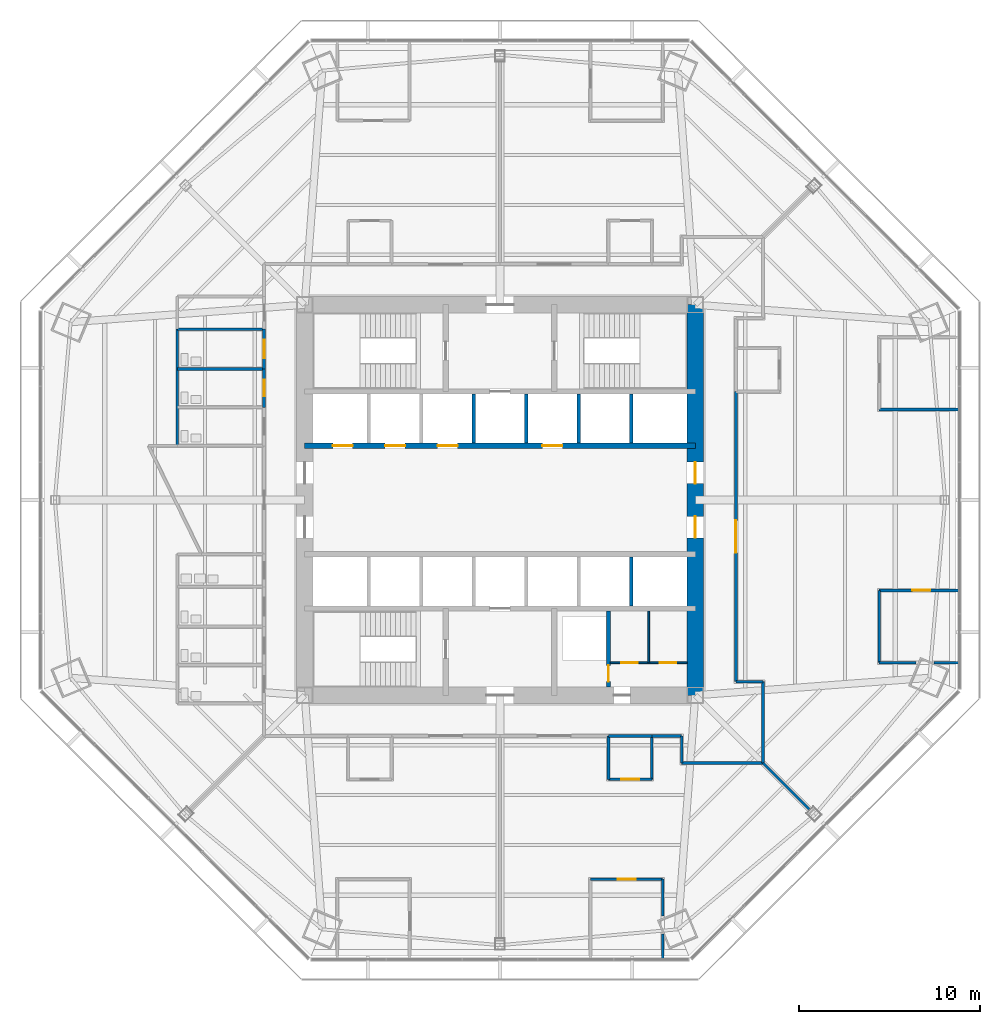
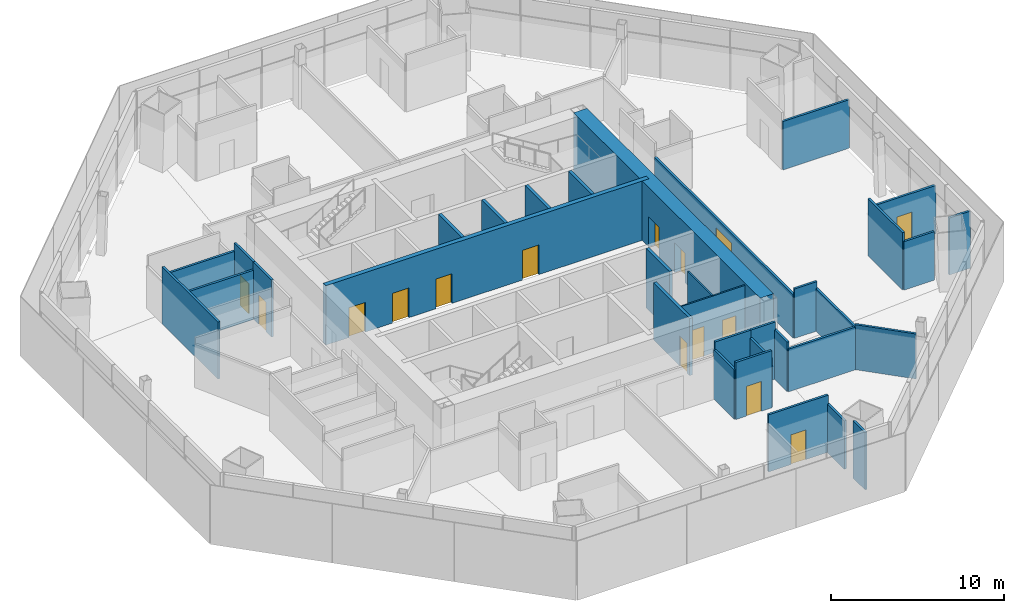
# One storey, part 11 of 17: 34 walls, 15 doors, 15 openings.
"""IFC4 building model written with IfcOpenShell, lengths in metres."""

from ifc_helpers import new_model, si_unit, direction, frame, frame_2d, origin, place, context, subcontext, project, spatial, rectangle, extrude, material, layer, layer_set, type_object, element, fill, save


model = new_model("IFC4")

# Units and contexts
model_context = context("Model", 3, precision=1e-05, world=origin(), true_north=direction((0.0, 1.0)))
body_context = subcontext(model_context, "Body", "Model", "MODEL_VIEW")
ifc_project = project(units=[si_unit("LENGTHUNIT", "METRE"), si_unit("AREAUNIT", "SQUARE_METRE"), si_unit("VOLUMEUNIT", "CUBIC_METRE"), si_unit("PLANEANGLEUNIT", "RADIAN"), si_unit("MASSUNIT", "GRAM", prefix="KILO")], contexts=[model_context])

# Site, building, storey
site_placement = place(None, origin())
site = spatial("IfcSite", under=ifc_project, at=site_placement, CompositionType="ELEMENT")
building_placement = place(site_placement, origin())
building = spatial("IfcBuilding", under=site, at=building_placement, Name="Mashrafa Tower", CompositionType="ELEMENT")
storey_placement = place(building_placement, frame((0.0, 0.0, 91.800048828125)))
storey = spatial("IfcBuildingStorey", under=building, at=storey_placement, Name="L20", CompositionType="ELEMENT", Elevation=91.800048828125)

# Wall, opening, door
ifc_material_1 = material(Name="Concrete masonry unit", Category="masonry")
ifc_layer_1 = layer(ifc_material_1, 0.199951171875)
ifc_layer_set_1 = layer_set([ifc_layer_1], Name="Blockwork wall 200 2 hr")
wall_type_1 = type_object("IfcWallType", Name="Blockwork wall 200 2 hr", PredefinedType="PARTITIONING", material=ifc_layer_set_1)
wall_1_placement = place(storey_placement, frame((6.0, -10.35009765625, 0.0), z_axis=(0.0, 0.0, 1.0), x_axis=(0.0, 1.0, 0.0)))
wall_1 = element("IfcWall", 1, at=wall_1_placement, inside=storey, type_object=wall_type_1, Name="Riser enclosure wall L20", PredefinedType="PARTITIONING", context=body_context, shape_type="SweptSolid", body=[
    extrude(rectangle(XDim=4.2001953125, YDim=0.199951171875, at=frame_2d((2.10009765625, 0.0))), origin(), (0.0, 0.0, 1.0), 4.034912109375),
])
opening_1_placement = place(wall_1_placement, frame((0.300048828125, 0.0, 0.0)))
opening_1 = element("IfcOpeningElement", 2, at=opening_1_placement, cuts=wall_1, Name="Opening 20.036", PredefinedType="OPENING", context=body_context, shape_type="SweptSolid", body=[
    extrude(rectangle(XDim=0.89990234375, YDim=2.10009765625, at=frame_2d((0.449951171875, 1.050048828125))), frame((0.0, 0.10986328125, 0.0), z_axis=(0.0, -1.0, 0.0), x_axis=(1.0, 0.0, 0.0)), (0.0, 0.0, 1.0), 0.219970703125),
])
ifc_material_2 = material(Name="Steel door", Category="steel")
door_type_1 = type_object("IfcDoorType", Name="Service door 900 x 2100 90 min", OperationType="USERDEFINED", PredefinedType="DOOR", material=ifc_material_2)
door_1_placement = place(opening_1_placement, origin())
door_1 = element("IfcDoor", 3, at=door_1_placement, inside=storey, type_object=door_type_1, Name="Riser door L20", OperationType="SINGLE_SWING_LEFT", OverallHeight=2.10009765625, OverallWidth=0.89990234375, PredefinedType="DOOR", context=body_context, shape_type="SweptSolid", body=[
    extrude(rectangle(XDim=0.89990234375, YDim=2.10009765625, at=frame_2d((0.449951171875, 1.050048828125))), frame((0.0, 0.02490234375, 0.0), z_axis=(0.0, -1.0, 0.0), x_axis=(1.0, 0.0, 0.0)), (0.0, 0.0, 1.0), 0.050048828125),
])
fill(opening_1, door_1)

# Wall, openings, doors
ifc_material_3 = material(Name="Concrete C60/75", Category="concrete")
ifc_layer_2 = layer(ifc_material_3, 0.300048828125)
ifc_layer_set_2 = layer_set([ifc_layer_2], Name="Core wall 300 C60/75")
wall_type_2 = type_object("IfcWallType", Name="Core wall 300 C60/75", PredefinedType="SOLIDWALL", material=ifc_layer_set_2)
wall_2_placement = place(storey_placement, frame((-10.800048828125, 3.0, 0.0), z_axis=(0.0, 0.0, 1.0), x_axis=(1.0, 0.0, 0.0)))
wall_2 = element("IfcWall", 4, at=wall_2_placement, inside=storey, type_object=wall_type_2, Name="Core wall CH-N L20", PredefinedType="SOLIDWALL", context=body_context, shape_type="SweptSolid", body=[
    extrude(rectangle(XDim=21.60009765625, YDim=0.300048828125, at=frame_2d((10.800048828125, 0.0))), origin(), (0.0, 0.0, 1.0), 4.199951171875),
])
opening_2_placement = place(wall_2_placement, frame((1.550048828125, 0.0, 0.0)))
opening_2 = element("IfcOpeningElement", 5, at=opening_2_placement, cuts=wall_2, Name="Opening 20.A1", PredefinedType="OPENING", context=body_context, shape_type="SweptSolid", body=[
    extrude(rectangle(XDim=1.10009765625, YDim=2.10009765625, at=frame_2d((0.550048828125, 1.050048828125))), frame((0.0, 0.159912109375, 0.0), z_axis=(0.0, -1.0, 0.0), x_axis=(1.0, 0.0, 0.0)), (0.0, 0.0, 1.0), 0.320068359375),
])
opening_3_placement = place(wall_2_placement, frame((4.449951171875, 0.0, 0.0)))
opening_3 = element("IfcOpeningElement", 6, at=opening_3_placement, cuts=wall_2, Name="Opening 20.A2", PredefinedType="OPENING", context=body_context, shape_type="SweptSolid", body=[
    extrude(rectangle(XDim=1.10009765625, YDim=2.10009765625, at=frame_2d((0.550048828125, 1.050048828125))), frame((0.0, 0.159912109375, 0.0), z_axis=(0.0, -1.0, 0.0), x_axis=(1.0, 0.0, 0.0)), (0.0, 0.0, 1.0), 0.320068359375),
])
opening_4_placement = place(wall_2_placement, frame((7.35009765625, 0.0, 0.0)))
opening_4 = element("IfcOpeningElement", 7, at=opening_4_placement, cuts=wall_2, Name="Opening 20.A3", PredefinedType="OPENING", context=body_context, shape_type="SweptSolid", body=[
    extrude(rectangle(XDim=1.10009765625, YDim=2.10009765625, at=frame_2d((0.550048828125, 1.050048828125))), frame((0.0, 0.159912109375, 0.0), z_axis=(0.0, -1.0, 0.0), x_axis=(1.0, 0.0, 0.0)), (0.0, 0.0, 1.0), 0.320068359375),
])
opening_5_placement = place(wall_2_placement, frame((13.14990234375, 0.0, 0.0)))
opening_5 = element("IfcOpeningElement", 8, at=opening_5_placement, cuts=wall_2, Name="Opening 20.A4", PredefinedType="OPENING", context=body_context, shape_type="SweptSolid", body=[
    extrude(rectangle(XDim=1.10009765625, YDim=2.10009765625, at=frame_2d((0.550048828125, 1.050048828125))), frame((0.0, 0.159912109375, 0.0), z_axis=(0.0, -1.0, 0.0), x_axis=(1.0, 0.0, 0.0)), (0.0, 0.0, 1.0), 0.320068359375),
])
ifc_material_4 = material(Name="Steel door", Category="steel")
door_type_2 = type_object("IfcDoorType", Name="Lift landing door 1100 x 2100 90 min", OperationType="DOUBLE_DOOR_SLIDING", PredefinedType="DOOR", material=ifc_material_4)
door_2_placement = place(opening_2_placement, origin())
door_2 = element("IfcDoor", 9, at=door_2_placement, inside=storey, type_object=door_type_2, Name="Lift landing door A1 L20", OperationType="DOUBLE_DOOR_SLIDING", OverallHeight=2.10009765625, OverallWidth=1.10009765625, PredefinedType="DOOR", context=body_context, shape_type="SweptSolid", body=[
    extrude(rectangle(XDim=1.10009765625, YDim=2.10009765625, at=frame_2d((0.550048828125, 1.050048828125))), frame((0.0, 0.02490234375, 0.0), z_axis=(0.0, -1.0, 0.0), x_axis=(1.0, 0.0, 0.0)), (0.0, 0.0, 1.0), 0.050048828125),
])
fill(opening_2, door_2)
door_3_placement = place(opening_3_placement, origin())
door_3 = element("IfcDoor", 10, at=door_3_placement, inside=storey, type_object=door_type_2, Name="Lift landing door A2 L20", OperationType="DOUBLE_DOOR_SLIDING", OverallHeight=2.10009765625, OverallWidth=1.10009765625, PredefinedType="DOOR", context=body_context, shape_type="SweptSolid", body=[
    extrude(rectangle(XDim=1.10009765625, YDim=2.10009765625, at=frame_2d((0.550048828125, 1.050048828125))), frame((0.0, 0.02490234375, 0.0), z_axis=(0.0, -1.0, 0.0), x_axis=(1.0, 0.0, 0.0)), (0.0, 0.0, 1.0), 0.050048828125),
])
fill(opening_3, door_3)
door_4_placement = place(opening_4_placement, origin())
door_4 = element("IfcDoor", 11, at=door_4_placement, inside=storey, type_object=door_type_2, Name="Lift landing door A3 L20", OperationType="DOUBLE_DOOR_SLIDING", OverallHeight=2.10009765625, OverallWidth=1.10009765625, PredefinedType="DOOR", context=body_context, shape_type="SweptSolid", body=[
    extrude(rectangle(XDim=1.10009765625, YDim=2.10009765625, at=frame_2d((0.550048828125, 1.050048828125))), frame((0.0, 0.02490234375, 0.0), z_axis=(0.0, -1.0, 0.0), x_axis=(1.0, 0.0, 0.0)), (0.0, 0.0, 1.0), 0.050048828125),
])
fill(opening_4, door_4)
door_5_placement = place(opening_5_placement, origin())
door_5 = element("IfcDoor", 12, at=door_5_placement, inside=storey, type_object=door_type_2, Name="Lift landing door A4 L20", OperationType="DOUBLE_DOOR_SLIDING", OverallHeight=2.10009765625, OverallWidth=1.10009765625, PredefinedType="DOOR", context=body_context, shape_type="SweptSolid", body=[
    extrude(rectangle(XDim=1.10009765625, YDim=2.10009765625, at=frame_2d((0.550048828125, 1.050048828125))), frame((0.0, 0.02490234375, 0.0), z_axis=(0.0, -1.0, 0.0), x_axis=(1.0, 0.0, 0.0)), (0.0, 0.0, 1.0), 0.050048828125),
])
fill(opening_5, door_5)

ifc_material_5 = material(Name="Concrete C60/75", Category="concrete")
ifc_layer_3 = layer(ifc_material_5, 0.89990234375)
ifc_layer_set_3 = layer_set([ifc_layer_3], Name="Core wall 900 C60/75")
wall_type_3 = type_object("IfcWallType", Name="Core wall 900 C60/75", PredefinedType="SOLIDWALL", material=ifc_layer_set_3)
wall_3_placement = place(storey_placement, frame((10.800048828125, -10.800048828125, 0.0), z_axis=(0.0, 0.0, 1.0), x_axis=(0.0, 1.0, 0.0)))
wall_3 = element("IfcWall", 13, at=wall_3_placement, inside=storey, type_object=wall_type_3, Name="Core wall CW-E L20", PredefinedType="SOLIDWALL", context=body_context, shape_type="SweptSolid", body=[
    extrude(rectangle(XDim=21.60009765625, YDim=0.89990234375, at=frame_2d((10.800048828125, 0.0))), origin(), (0.0, 0.0, 1.0), 4.199951171875),
])
opening_6_placement = place(wall_3_placement, frame((11.699951171875, 0.0, 0.0)))
opening_6 = element("IfcOpeningElement", 14, at=opening_6_placement, cuts=wall_3, Name="Opening 20.026", PredefinedType="OPENING", context=body_context, shape_type="SweptSolid", body=[
    extrude(rectangle(XDim=1.199951171875, YDim=2.10009765625, at=frame_2d((0.60009765625, 1.050048828125))), frame((0.0, 0.4599609375, 0.0), z_axis=(0.0, -1.0, 0.0), x_axis=(1.0, 0.0, 0.0)), (0.0, 0.0, 1.0), 0.919921875),
])
opening_7_placement = place(wall_3_placement, frame((8.699951171875, 0.0, 0.0)))
opening_7 = element("IfcOpeningElement", 15, at=opening_7_placement, cuts=wall_3, Name="Opening 20.028", PredefinedType="OPENING", context=body_context, shape_type="SweptSolid", body=[
    extrude(rectangle(XDim=1.199951171875, YDim=2.10009765625, at=frame_2d((0.60009765625, 1.050048828125))), frame((0.0, 0.4599609375, 0.0), z_axis=(0.0, -1.0, 0.0), x_axis=(1.0, 0.0, 0.0)), (0.0, 0.0, 1.0), 0.919921875),
])
ifc_material_6 = material(Name="Steel door", Category="steel")
door_type_3 = type_object("IfcDoorType", Name="Lift hall door 1200 x 2100 90 min", OperationType="USERDEFINED", PredefinedType="DOOR", material=ifc_material_6)
door_6_placement = place(opening_6_placement, frame((1.199951171875, 0.0, 0.0), z_axis=(0.0, 0.0, 1.0), x_axis=(-1.0, 0.0, 0.0)))
door_6 = element("IfcDoor", 16, at=door_6_placement, inside=storey, type_object=door_type_3, Name="Lift hall door east L20", OperationType="SINGLE_SWING_LEFT", OverallHeight=2.10009765625, OverallWidth=1.199951171875, PredefinedType="DOOR", context=body_context, shape_type="SweptSolid", body=[
    extrude(rectangle(XDim=1.199951171875, YDim=2.10009765625, at=frame_2d((0.60009765625, 1.050048828125))), frame((0.0, 0.02490234375, 0.0), z_axis=(0.0, -1.0, 0.0), x_axis=(1.0, 0.0, 0.0)), (0.0, 0.0, 1.0), 0.050048828125),
])
fill(opening_6, door_6)
door_7_placement = place(opening_7_placement, frame((1.199951171875, 0.0, 0.0), z_axis=(0.0, 0.0, 1.0), x_axis=(-1.0, 0.0, 0.0)))
door_7 = element("IfcDoor", 17, at=door_7_placement, inside=storey, type_object=door_type_3, Name="Lift hall door east L20", OperationType="SINGLE_SWING_RIGHT", OverallHeight=2.10009765625, OverallWidth=1.199951171875, PredefinedType="DOOR", context=body_context, shape_type="SweptSolid", body=[
    extrude(rectangle(XDim=1.199951171875, YDim=2.10009765625, at=frame_2d((0.60009765625, 1.050048828125))), frame((0.0, 0.02490234375, 0.0), z_axis=(0.0, -1.0, 0.0), x_axis=(1.0, 0.0, 0.0)), (0.0, 0.0, 1.0), 0.050048828125),
])
fill(opening_7, door_7)

# Wall, opening, door
ifc_material_7 = material(Name="Gypsum board on steel studs", Category="steel")
ifc_layer_4 = layer(ifc_material_7, 0.14990234375)
ifc_layer_set_4 = layer_set([ifc_layer_4], Name="Corridor partition 150 1 hr")
wall_type_4 = type_object("IfcWallType", Name="Corridor partition 150 1 hr", PredefinedType="PARTITIONING", material=ifc_layer_set_4)
wall_4_placement = place(storey_placement, frame((-13.050048828125, 7.2509765625, 0.0), z_axis=(0.0, 0.0, 1.0), x_axis=(0.0, -1.0, 0.0)))
wall_4 = element("IfcWall", 18, at=wall_4_placement, inside=storey, type_object=wall_type_4, Name="Corridor wall L20-002", PredefinedType="PARTITIONING", context=body_context, shape_type="SweptSolid", body=[
    extrude(rectangle(XDim=2.126953125, YDim=0.14990234375, at=frame_2d((1.0634765625, 0.0))), origin(), (0.0, 0.0, 1.0), 4.034912109375),
])
opening_8_placement = place(wall_4_placement, frame((0.613525390625, 0.0, 0.0)))
opening_8 = element("IfcOpeningElement", 19, at=opening_8_placement, cuts=wall_4, Name="Opening 20.002", PredefinedType="OPENING", context=body_context, shape_type="SweptSolid", body=[
    extrude(rectangle(XDim=0.89990234375, YDim=2.10009765625, at=frame_2d((0.449951171875, 1.050048828125))), frame((0.0, 0.0849609375, 0.0), z_axis=(0.0, -1.0, 0.0), x_axis=(1.0, 0.0, 0.0)), (0.0, 0.0, 1.0), 0.169921875),
])
ifc_material_8 = material(Name="Timber door", Category="wood")
door_type_4 = type_object("IfcDoorType", Name="Toilet door 900 x 2100", OperationType="USERDEFINED", PredefinedType="DOOR", material=ifc_material_8)
door_8_placement = place(opening_8_placement, frame((0.89990234375, 0.0, 0.0), z_axis=(0.0, 0.0, 1.0), x_axis=(-1.0, 0.0, 0.0)))
door_8 = element("IfcDoor", 20, at=door_8_placement, inside=storey, type_object=door_type_4, Name="WC Male L20 N door", OperationType="SINGLE_SWING_LEFT", OverallHeight=2.10009765625, OverallWidth=0.89990234375, PredefinedType="DOOR", context=body_context, shape_type="SweptSolid", body=[
    extrude(rectangle(XDim=0.89990234375, YDim=2.10009765625, at=frame_2d((0.449951171875, 1.050048828125))), frame((0.0, 0.02490234375, 0.0), z_axis=(0.0, -1.0, 0.0), x_axis=(1.0, 0.0, 0.0)), (0.0, 0.0, 1.0), 0.050048828125),
])
fill(opening_8, door_8)

wall_5_placement = place(storey_placement, frame((-13.050048828125, 9.450927734375, 0.0), z_axis=(0.0, 0.0, 1.0), x_axis=(0.0, -1.0, 0.0)))
wall_5 = element("IfcWall", 21, at=wall_5_placement, inside=storey, type_object=wall_type_4, Name="Corridor wall L20-003", PredefinedType="PARTITIONING", context=body_context, shape_type="SweptSolid", body=[
    extrude(rectangle(XDim=2.201904296875, YDim=0.14990234375, at=frame_2d((1.10107421875, 0.0))), origin(), (0.0, 0.0, 1.0), 4.034912109375),
])
opening_9_placement = place(wall_5_placement, frame((0.60107421875, 0.0, 0.0)))
opening_9 = element("IfcOpeningElement", 22, at=opening_9_placement, cuts=wall_5, Name="Opening 20.003", PredefinedType="OPENING", context=body_context, shape_type="SweptSolid", body=[
    extrude(rectangle(XDim=1.0, YDim=2.10009765625, at=frame_2d((0.5, 1.050048828125))), frame((0.0, 0.0849609375, 0.0), z_axis=(0.0, -1.0, 0.0), x_axis=(1.0, 0.0, 0.0)), (0.0, 0.0, 1.0), 0.169921875),
])
ifc_material_9 = material(Name="Timber door", Category="wood")
door_type_5 = type_object("IfcDoorType", Name="Accessible toilet door 1000 x 2100", OperationType="USERDEFINED", PredefinedType="DOOR", material=ifc_material_9)
door_9_placement = place(opening_9_placement, frame((1.0, 0.0, 0.0), z_axis=(0.0, 0.0, 1.0), x_axis=(-1.0, 0.0, 0.0)))
door_9 = element("IfcDoor", 23, at=door_9_placement, inside=storey, type_object=door_type_5, Name="Accessible WC L20 N door", OperationType="SINGLE_SWING_RIGHT", OverallHeight=2.10009765625, OverallWidth=1.0, PredefinedType="DOOR", context=body_context, shape_type="SweptSolid", body=[
    extrude(rectangle(XDim=1.0, YDim=2.10009765625, at=frame_2d((0.5, 1.050048828125))), frame((0.0, 0.02490234375, 0.0), z_axis=(0.0, -1.0, 0.0), x_axis=(1.0, 0.0, 0.0)), (0.0, 0.0, 1.0), 0.050048828125),
])
fill(opening_9, door_9)

# Walls
wall_6_placement = place(storey_placement, frame((5.9990234375, -13.050048828125, 0.0), z_axis=(0.0, 0.0, 1.0), x_axis=(1.0, 0.0, 0.0)))
element("IfcWall", 24, at=wall_6_placement, inside=storey, type_object=wall_type_4, Name="Corridor wall L20-013", PredefinedType="PARTITIONING", context=body_context, shape_type="SweptSolid", body=[
    extrude(rectangle(XDim=2.40185546875, YDim=0.14990234375, at=frame_2d((1.200927734375, 0.0))), origin(), (0.0, 0.0, 1.0), 4.034912109375),
])
wall_7_placement = place(storey_placement, frame((14.550048828125, -14.550048828125, 0.0), z_axis=(0.0, 0.0, 1.0), x_axis=(0.0, 1.0, 0.0)))
element("IfcWall", 25, at=wall_7_placement, inside=storey, type_object=wall_type_4, Name="Corridor wall L20-023", PredefinedType="PARTITIONING", context=body_context, shape_type="SweptSolid", body=[
    extrude(rectangle(XDim=4.5, YDim=0.14990234375, at=frame_2d((2.25, 0.0))), origin(), (0.0, 0.0, 1.0), 3.01416015625),
])
wall_8_placement = place(storey_placement, frame((14.550048828125, -10.050048828125, 0.0), z_axis=(0.0, 0.0, 1.0), x_axis=(-1.0, 0.0, 0.0)))
element("IfcWall", 26, at=wall_8_placement, inside=storey, type_object=wall_type_4, Name="Corridor wall L20-024", PredefinedType="PARTITIONING", context=body_context, shape_type="SweptSolid", body=[
    extrude(rectangle(XDim=1.5, YDim=0.14990234375, at=frame_2d((0.75, 0.0))), origin(), (0.0, 0.0, 1.0), 3.491455078125),
])

# Wall, opening, door
wall_9_placement = place(storey_placement, frame((13.050048828125, -10.050048828125, 0.0), z_axis=(0.0, 0.0, 1.0), x_axis=(0.0, 1.0, 0.0)))
wall_9 = element("IfcWall", 27, at=wall_9_placement, inside=storey, type_object=wall_type_4, Name="Corridor wall L20-025", PredefinedType="PARTITIONING", context=body_context, shape_type="SweptSolid", body=[
    extrude(rectangle(XDim=16.051025390625, YDim=0.14990234375, at=frame_2d((8.025390625, 0.0))), origin(), (0.0, 0.0, 1.0), 3.06494140625),
])
opening_10_placement = place(wall_9_placement, frame((7.12548828125, 0.0, 0.0)))
opening_10 = element("IfcOpeningElement", 28, at=opening_10_placement, cuts=wall_9, Name="Opening 20.023", PredefinedType="OPENING", context=body_context, shape_type="SweptSolid", body=[
    extrude(rectangle(XDim=1.800048828125, YDim=2.39990234375, at=frame_2d((0.89990234375, 1.199951171875))), frame((0.0, 0.0849609375, 0.0), z_axis=(0.0, -1.0, 0.0), x_axis=(1.0, 0.0, 0.0)), (0.0, 0.0, 1.0), 0.169921875),
])
ifc_material_10 = material(Name="Timber door", Category="wood")
door_type_6 = type_object("IfcDoorType", Name="Door pair 1800 x 2400", OperationType="DOUBLE_DOOR_SINGLE_SWING", PredefinedType="DOOR", material=ifc_material_10)
door_10_placement = place(opening_10_placement, frame((1.800048828125, 0.0, 0.0), z_axis=(0.0, 0.0, 1.0), x_axis=(-1.0, 0.0, 0.0)))
door_10 = element("IfcDoor", 29, at=door_10_placement, inside=storey, type_object=door_type_6, Name="Office Suite 20-E door", OperationType="DOUBLE_DOOR_SINGLE_SWING", OverallHeight=2.39990234375, OverallWidth=1.800048828125, PredefinedType="DOOR", context=body_context, shape_type="SweptSolid", body=[
    extrude(rectangle(XDim=1.800048828125, YDim=2.39990234375, at=frame_2d((0.89990234375, 1.199951171875))), frame((0.0, 0.02490234375, 0.0), z_axis=(0.0, -1.0, 0.0), x_axis=(1.0, 0.0, 0.0)), (0.0, 0.0, 1.0), 0.050048828125),
])
fill(opening_10, door_10)

# Walls
wall_10_placement = place(storey_placement, frame((8.39892578125, -13.050048828125, 0.0), z_axis=(0.0, 0.0, 1.0), x_axis=(1.0, 0.0, 0.0)))
element("IfcWall", 30, at=wall_10_placement, inside=storey, type_object=wall_type_4, Name="Corridor wall L20-030", PredefinedType="PARTITIONING", context=body_context, shape_type="SweptSolid", body=[
    extrude(rectangle(XDim=1.651123046875, YDim=0.14990234375, at=frame_2d((0.82568359375, 0.0))), origin(), (0.0, 0.0, 1.0), 4.034912109375),
])
wall_11_placement = place(storey_placement, frame((10.050048828125, -13.050048828125, 0.0), z_axis=(0.0, 0.0, 1.0), x_axis=(0.0, -1.0, 0.0)))
element("IfcWall", 31, at=wall_11_placement, inside=storey, type_object=wall_type_4, Name="Corridor wall L20-031", PredefinedType="PARTITIONING", context=body_context, shape_type="SweptSolid", body=[
    extrude(rectangle(XDim=1.5, YDim=0.14990234375, at=frame_2d((0.75, 0.0))), origin(), (0.0, 0.0, 1.0), 3.491455078125),
])
wall_12_placement = place(storey_placement, frame((10.050048828125, -14.550048828125, 0.0), z_axis=(0.0, 0.0, 1.0), x_axis=(1.0, 0.0, 0.0)))
element("IfcWall", 32, at=wall_12_placement, inside=storey, type_object=wall_type_4, Name="Corridor wall L20-032", PredefinedType="PARTITIONING", context=body_context, shape_type="SweptSolid", body=[
    extrude(rectangle(XDim=4.5, YDim=0.14990234375, at=frame_2d((2.25, 0.0))), origin(), (0.0, 0.0, 1.0), 3.01416015625),
])

# Wall, openings, doors
ifc_material_11 = material(Name="Gypsum board on steel studs", Category="steel")
ifc_layer_5 = layer(ifc_material_11, 0.10009765625)
ifc_layer_set_5 = layer_set([ifc_layer_5], Name="Partition 100 1 hr")
wall_type_5 = type_object("IfcWallType", Name="Partition 100 1 hr", PredefinedType="PARTITIONING", material=ifc_layer_set_5)
wall_13_placement = place(storey_placement, frame((6.10009765625, -9.0, 0.0), z_axis=(0.0, 0.0, 1.0), x_axis=(1.0, 0.0, 0.0)))
wall_13 = element("IfcWall", 33, at=wall_13_placement, inside=storey, type_object=wall_type_5, Name="Services lobby partition A L20", PredefinedType="PARTITIONING", context=body_context, shape_type="SweptSolid", body=[
    extrude(rectangle(XDim=4.25, YDim=0.10009765625, at=frame_2d((2.125, 0.0))), origin(), (0.0, 0.0, 1.0), 4.034912109375),
])
opening_11_placement = place(wall_13_placement, frame((0.612548828125, 0.0, 0.0)))
opening_11 = element("IfcOpeningElement", 34, at=opening_11_placement, cuts=wall_13, Name="Opening 20.037", PredefinedType="OPENING", context=body_context, shape_type="SweptSolid", body=[
    extrude(rectangle(XDim=0.89990234375, YDim=2.10009765625, at=frame_2d((0.449951171875, 1.050048828125))), frame((0.0, 0.06005859375, 0.0), z_axis=(0.0, -1.0, 0.0), x_axis=(1.0, 0.0, 0.0)), (0.0, 0.0, 1.0), 0.1201171875),
])
opening_12_placement = place(wall_13_placement, frame((2.737548828125, 0.0, 0.0)))
opening_12 = element("IfcOpeningElement", 35, at=opening_12_placement, cuts=wall_13, Name="Opening 20.038", PredefinedType="OPENING", context=body_context, shape_type="SweptSolid", body=[
    extrude(rectangle(XDim=0.89990234375, YDim=2.10009765625, at=frame_2d((0.449951171875, 1.050048828125))), frame((0.0, 0.06005859375, 0.0), z_axis=(0.0, -1.0, 0.0), x_axis=(1.0, 0.0, 0.0)), (0.0, 0.0, 1.0), 0.1201171875),
])
ifc_material_12 = material(Name="Timber door", Category="wood")
door_type_7 = type_object("IfcDoorType", Name="Store door 900 x 2100", OperationType="USERDEFINED", PredefinedType="DOOR", material=ifc_material_12)
door_11_placement = place(opening_11_placement, origin())
door_11 = element("IfcDoor", 36, at=door_11_placement, inside=storey, type_object=door_type_7, Name="Communications Room L20 door", OperationType="SINGLE_SWING_RIGHT", OverallHeight=2.10009765625, OverallWidth=0.89990234375, PredefinedType="DOOR", context=body_context, shape_type="SweptSolid", body=[
    extrude(rectangle(XDim=0.89990234375, YDim=2.10009765625, at=frame_2d((0.449951171875, 1.050048828125))), frame((0.0, 0.02490234375, 0.0), z_axis=(0.0, -1.0, 0.0), x_axis=(1.0, 0.0, 0.0)), (0.0, 0.0, 1.0), 0.050048828125),
])
fill(opening_11, door_11)
door_12_placement = place(opening_12_placement, origin())
door_12 = element("IfcDoor", 37, at=door_12_placement, inside=storey, type_object=door_type_7, Name="Cleaner's Store L20 door", OperationType="SINGLE_SWING_LEFT", OverallHeight=2.10009765625, OverallWidth=0.89990234375, PredefinedType="DOOR", context=body_context, shape_type="SweptSolid", body=[
    extrude(rectangle(XDim=0.89990234375, YDim=2.10009765625, at=frame_2d((0.449951171875, 1.050048828125))), frame((0.0, 0.02490234375, 0.0), z_axis=(0.0, -1.0, 0.0), x_axis=(1.0, 0.0, 0.0)), (0.0, 0.0, 1.0), 0.050048828125),
])
fill(opening_12, door_12)

# Walls
wall_14_placement = place(storey_placement, frame((8.22509765625, -9.0, 0.0), z_axis=(0.0, 0.0, 1.0), x_axis=(0.0, 1.0, 0.0)))
element("IfcWall", 38, at=wall_14_placement, inside=storey, type_object=wall_type_5, Name="Services lobby partition B L20", PredefinedType="PARTITIONING", context=body_context, shape_type="SweptSolid", body=[
    extrude(rectangle(XDim=2.85009765625, YDim=0.10009765625, at=frame_2d((1.425048828125, 0.0))), origin(), (0.0, 0.0, 1.0), 4.034912109375),
])
ifc_material_13 = material(Name="Gypsum board on steel studs", Category="steel")
ifc_layer_6 = layer(ifc_material_13, 0.14990234375)
ifc_layer_set_6 = layer_set([ifc_layer_6], Name="Partition 150")
wall_type_6 = type_object("IfcWallType", Name="Partition 150", PredefinedType="PARTITIONING", material=ifc_layer_set_6)
wall_15_placement = place(storey_placement, frame((-17.85009765625, 3.0, 0.0), z_axis=(0.0, 0.0, 1.0), x_axis=(0.0, 1.0, 0.0)))
element("IfcWall", 39, at=wall_15_placement, inside=storey, type_object=wall_type_6, Name="Partition wall L20-037", PredefinedType="PARTITIONING", context=body_context, shape_type="SweptSolid", body=[
    extrude(rectangle(XDim=6.449951171875, YDim=0.14990234375, at=frame_2d((3.22509765625, 0.0))), origin(), (0.0, 0.0, 1.0), 4.034912109375),
])
for number, where, z_axis, x_axis, name in (
    (40, (-13.050048828125, 7.25, 0.0), (0.0, 0.0, 1.0), (-1.0, 0.0, 0.0), "Partition wall L20-038"),
    (41, (-13.050048828125, 9.449951171875, 0.0), (0.0, 0.0, 1.0), (-1.0, 0.0, 0.0), "Partition wall L20-040"),
):
    element("IfcWall", number, at=place(storey_placement, frame(where, z_axis=z_axis, x_axis=x_axis)), inside=storey, type_object=wall_type_6, Name=name, PredefinedType="PARTITIONING", context=body_context, shape_type="SweptSolid", body=[
        extrude(rectangle(XDim=4.800048828125, YDim=0.14990234375, at=frame_2d((2.39990234375, 0.0))), origin(), (0.0, 0.0, 1.0), 3.491455078125),
    ])

# Wall, opening, door
wall_16_placement = place(storey_placement, frame((25.40185546875, -5.0, 0.0), z_axis=(0.0, 0.0, 1.0), x_axis=(-1.0, 0.0, 0.0)))
wall_16 = element("IfcWall", 42, at=wall_16_placement, inside=storey, type_object=wall_type_6, Name="Partition wall L20-070", PredefinedType="PARTITIONING", context=body_context, shape_type="SweptSolid", body=[
    extrude(rectangle(XDim=4.43408203125, YDim=0.14990234375, at=frame_2d((2.217041015625, 0.0))), origin(), (0.0, 0.0, 1.0), 3.4228515625),
])
opening_13_placement = place(wall_16_placement, frame((1.59912109375, 0.0, 0.0)))
opening_13 = element("IfcOpeningElement", 43, at=opening_13_placement, cuts=wall_16, Name="Opening 20.014", PredefinedType="OPENING", context=body_context, shape_type="SweptSolid", body=[
    extrude(rectangle(XDim=1.0, YDim=2.10009765625, at=frame_2d((0.5, 1.050048828125))), frame((0.0, 0.0849609375, 0.0), z_axis=(0.0, -1.0, 0.0), x_axis=(1.0, 0.0, 0.0)), (0.0, 0.0, 1.0), 0.169921875),
])
ifc_material_14 = material(Name="Timber door", Category="wood")
door_type_8 = type_object("IfcDoorType", Name="Door 1000 x 2100", OperationType="USERDEFINED", PredefinedType="DOOR", material=ifc_material_14)
door_13_placement = place(opening_13_placement, origin())
door_13 = element("IfcDoor", 44, at=door_13_placement, inside=storey, type_object=door_type_8, Name="Manager's Office 20-E door", OperationType="SINGLE_SWING_LEFT", OverallHeight=2.10009765625, OverallWidth=1.0, PredefinedType="DOOR", context=body_context, shape_type="SweptSolid", body=[
    extrude(rectangle(XDim=1.0, YDim=2.10009765625, at=frame_2d((0.5, 1.050048828125))), frame((0.0, 0.02490234375, 0.0), z_axis=(0.0, -1.0, 0.0), x_axis=(1.0, 0.0, 0.0)), (0.0, 0.0, 1.0), 0.050048828125),
])
fill(opening_13, door_13)

# Walls
wall_17_placement = place(storey_placement, frame((20.9677734375, -5.0, 0.0), z_axis=(0.0, 0.0, 1.0), x_axis=(0.0, -1.0, 0.0)))
element("IfcWall", 45, at=wall_17_placement, inside=storey, type_object=wall_type_6, Name="Partition wall L20-071", PredefinedType="PARTITIONING", context=body_context, shape_type="SweptSolid", body=[
    extrude(rectangle(XDim=4.0, YDim=0.14990234375, at=frame_2d((2.0, 0.0))), origin(), (0.0, 0.0, 1.0), 4.034912109375),
])
wall_18_placement = place(storey_placement, frame((20.9677734375, -9.0, 0.0), z_axis=(0.0, 0.0, 1.0), x_axis=(1.0, 0.0, 0.0)))
element("IfcWall", 46, at=wall_18_placement, inside=storey, type_object=wall_type_6, Name="Partition wall L20-072", PredefinedType="PARTITIONING", context=body_context, shape_type="SweptSolid", body=[
    extrude(rectangle(XDim=2.03662109375, YDim=0.14990234375, at=frame_2d((1.018310546875, 0.0))), origin(), (0.0, 0.0, 1.0), 3.4228515625),
])
for number, where, z_axis, x_axis, name in (
    (47, (23.998779296875, -9.0, 0.0), (0.0, 0.0, 1.0), (1.0, 0.0, 0.0), "Partition wall L20-073"),
    (48, (9.0, -25.39990234375, 0.0), (0.0, 0.0, 1.0), (0.0, 1.0, 0.0), "Partition wall L20-077"),
):
    element("IfcWall", number, at=place(storey_placement, frame(where, z_axis=z_axis, x_axis=x_axis)), inside=storey, type_object=wall_type_6, Name=name, PredefinedType="PARTITIONING", context=body_context, shape_type="SweptSolid", body=[
        extrude(rectangle(XDim=1.401123046875, YDim=0.14990234375, at=frame_2d((0.70068359375, 0.0))), origin(), (0.0, 0.0, 1.0), 4.034912109375),
    ])
wall_19_placement = place(storey_placement, frame((9.0, -23.00439453125, 0.0), z_axis=(0.0, 0.0, 1.0), x_axis=(0.0, 1.0, 0.0)))
element("IfcWall", 49, at=wall_19_placement, inside=storey, type_object=wall_type_6, Name="Partition wall L20-078", PredefinedType="PARTITIONING", context=body_context, shape_type="SweptSolid", body=[
    extrude(rectangle(XDim=2.03662109375, YDim=0.14990234375, at=frame_2d((1.018310546875, 0.0))), origin(), (0.0, 0.0, 1.0), 3.4228515625),
])

# Wall, opening, door
wall_20_placement = place(storey_placement, frame((9.0, -20.9677734375, 0.0), z_axis=(0.0, 0.0, 1.0), x_axis=(-1.0, 0.0, 0.0)))
wall_20 = element("IfcWall", 50, at=wall_20_placement, inside=storey, type_object=wall_type_6, Name="Partition wall L20-079", PredefinedType="PARTITIONING", context=body_context, shape_type="SweptSolid", body=[
    extrude(rectangle(XDim=4.0, YDim=0.14990234375, at=frame_2d((2.0, 0.0))), origin(), (0.0, 0.0, 1.0), 4.034912109375),
])
opening_14_placement = place(wall_20_placement, frame((1.5, 0.0, 0.0)))
opening_14 = element("IfcOpeningElement", 51, at=opening_14_placement, cuts=wall_20, Name="Opening 20.016", PredefinedType="OPENING", context=body_context, shape_type="SweptSolid", body=[
    extrude(rectangle(XDim=1.0, YDim=2.10009765625, at=frame_2d((0.5, 1.050048828125))), frame((0.0, 0.0849609375, 0.0), z_axis=(0.0, -1.0, 0.0), x_axis=(1.0, 0.0, 0.0)), (0.0, 0.0, 1.0), 0.169921875),
])
door_14_placement = place(opening_14_placement, origin())
door_14 = element("IfcDoor", 52, at=door_14_placement, inside=storey, type_object=door_type_8, Name="Manager's Office 20-SE door", OperationType="SINGLE_SWING_LEFT", OverallHeight=2.10009765625, OverallWidth=1.0, PredefinedType="DOOR", context=body_context, shape_type="SweptSolid", body=[
    extrude(rectangle(XDim=1.0, YDim=2.10009765625, at=frame_2d((0.5, 1.050048828125))), frame((0.0, 0.02490234375, 0.0), z_axis=(0.0, -1.0, 0.0), x_axis=(1.0, 0.0, 0.0)), (0.0, 0.0, 1.0), 0.050048828125),
])
fill(opening_14, door_14)

# Wall
wall_21_placement = place(storey_placement, frame((6.0, -13.050048828125, 0.0), z_axis=(0.0, 0.0, 1.0), x_axis=(0.0, -1.0, 0.0)))
element("IfcWall", 53, at=wall_21_placement, inside=storey, type_object=wall_type_6, Name="Partition wall L20-081", PredefinedType="PARTITIONING", context=body_context, shape_type="SweptSolid", body=[
    extrude(rectangle(XDim=2.39990234375, YDim=0.14990234375, at=frame_2d((1.199951171875, 0.0))), origin(), (0.0, 0.0, 1.0), 3.491455078125),
])

# Wall, opening, door
wall_22_placement = place(storey_placement, frame((6.0, -15.449951171875, 0.0), z_axis=(0.0, 0.0, 1.0), x_axis=(1.0, 0.0, 0.0)))
wall_22 = element("IfcWall", 54, at=wall_22_placement, inside=storey, type_object=wall_type_6, Name="Partition wall L20-082", PredefinedType="PARTITIONING", context=body_context, shape_type="SweptSolid", body=[
    extrude(rectangle(XDim=2.39990234375, YDim=0.14990234375, at=frame_2d((1.199951171875, 0.0))), origin(), (0.0, 0.0, 1.0), 4.034912109375),
])
opening_15_placement = place(wall_22_placement, frame((0.699951171875, 0.0, 0.0)))
opening_15 = element("IfcOpeningElement", 55, at=opening_15_placement, cuts=wall_22, Name="Opening 20.017", PredefinedType="OPENING", context=body_context, shape_type="SweptSolid", body=[
    extrude(rectangle(XDim=1.0, YDim=2.10009765625, at=frame_2d((0.5, 1.050048828125))), frame((0.0, 0.0849609375, 0.0), z_axis=(0.0, -1.0, 0.0), x_axis=(1.0, 0.0, 0.0)), (0.0, 0.0, 1.0), 0.169921875),
])
door_15_placement = place(opening_15_placement, origin())
door_15 = element("IfcDoor", 56, at=door_15_placement, inside=storey, type_object=door_type_8, Name="Kitchenette 20-SE door", OperationType="SINGLE_SWING_LEFT", OverallHeight=2.10009765625, OverallWidth=1.0, PredefinedType="DOOR", context=body_context, shape_type="SweptSolid", body=[
    extrude(rectangle(XDim=1.0, YDim=2.10009765625, at=frame_2d((0.5, 1.050048828125))), frame((0.0, 0.02490234375, 0.0), z_axis=(0.0, -1.0, 0.0), x_axis=(1.0, 0.0, 0.0)), (0.0, 0.0, 1.0), 0.050048828125),
])
fill(opening_15, door_15)

# Walls
wall_23_placement = place(storey_placement, frame((8.39990234375, -15.449951171875, 0.0), z_axis=(0.0, 0.0, 1.0), x_axis=(0.0, 1.0, 0.0)))
element("IfcWall", 57, at=wall_23_placement, inside=storey, type_object=wall_type_6, Name="Partition wall L20-083", PredefinedType="PARTITIONING", context=body_context, shape_type="SweptSolid", body=[
    extrude(rectangle(XDim=2.39990234375, YDim=0.14990234375, at=frame_2d((1.199951171875, 0.0))), origin(), (0.0, 0.0, 1.0), 3.491455078125),
])
wall_24_placement = place(storey_placement, frame((20.9677734375, 5.0, 0.0), z_axis=(0.0, 0.0, 1.0), x_axis=(1.0, 0.0, 0.0)))
element("IfcWall", 58, at=wall_24_placement, inside=storey, type_object=wall_type_6, Name="Partition wall L20-094", PredefinedType="PARTITIONING", context=body_context, shape_type="SweptSolid", body=[
    extrude(rectangle(XDim=4.43212890625, YDim=0.14990234375, at=frame_2d((2.216064453125, 0.0))), origin(), (0.0, 0.0, 1.0), 3.4228515625),
])
wall_25_placement = place(storey_placement, frame((14.550048828125, -14.550048828125, 0.0), z_axis=(0.0, 0.0, 1.0), x_axis=(0.707106781187, -0.707106781187, 0.0)))
element("IfcWall", 59, at=wall_25_placement, inside=storey, type_object=wall_type_6, Name="Partition wall L20-098", PredefinedType="PARTITIONING", context=body_context, shape_type="SweptSolid", body=[
    extrude(rectangle(XDim=3.65283203125, YDim=0.14990234375, at=frame_2d((1.826416015625, 0.0))), origin(), (0.0, 0.0, 1.0), 3.17919921875),
])
ifc_material_15 = material(Name="Gypsum shaft wall on steel studs", Category="steel")
ifc_layer_7 = layer(ifc_material_15, 0.199951171875)
ifc_layer_set_7 = layer_set([ifc_layer_7], Name="Shaft divider wall 200 2 hr")
wall_type_7 = type_object("IfcWallType", Name="Shaft divider wall 200 2 hr", PredefinedType="PARTITIONING", material=ifc_layer_set_7)
for number, where, z_axis, x_axis, name in (
    (60, (-1.449951171875, 3.14990234375, 0.0), (0.0, 0.0, 1.0), (0.0, 1.0, 0.0), "Shaft divider wall N3 L20"),
    (61, (1.449951171875, 3.14990234375, 0.0), (0.0, 0.0, 1.0), (0.0, 1.0, 0.0), "Shaft divider wall N4 L20"),
    (62, (4.35009765625, 3.14990234375, 0.0), (0.0, 0.0, 1.0), (0.0, 1.0, 0.0), "Shaft divider wall N5 L20"),
    (63, (7.25, 3.14990234375, 0.0), (0.0, 0.0, 1.0), (0.0, 1.0, 0.0), "Shaft divider wall N6 L20"),
    (64, (7.25, -5.85009765625, 0.0), (0.0, 0.0, 1.0), (0.0, 1.0, 0.0), "Shaft divider wall S6 L20"),
):
    element("IfcWall", number, at=place(storey_placement, frame(where, z_axis=z_axis, x_axis=x_axis)), inside=storey, type_object=wall_type_7, Name=name, PredefinedType="PARTITIONING", context=body_context, shape_type="SweptSolid", body=[
        extrude(rectangle(XDim=2.7001953125, YDim=0.199951171875, at=frame_2d((1.35009765625, 0.0))), origin(), (0.0, 0.0, 1.0), 4.199951171875),
    ])

save(model, "model.ifc")
